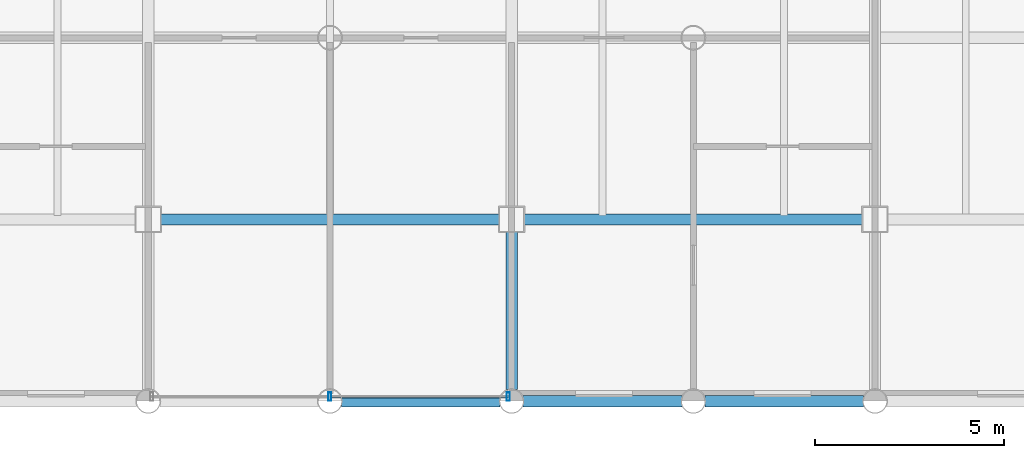
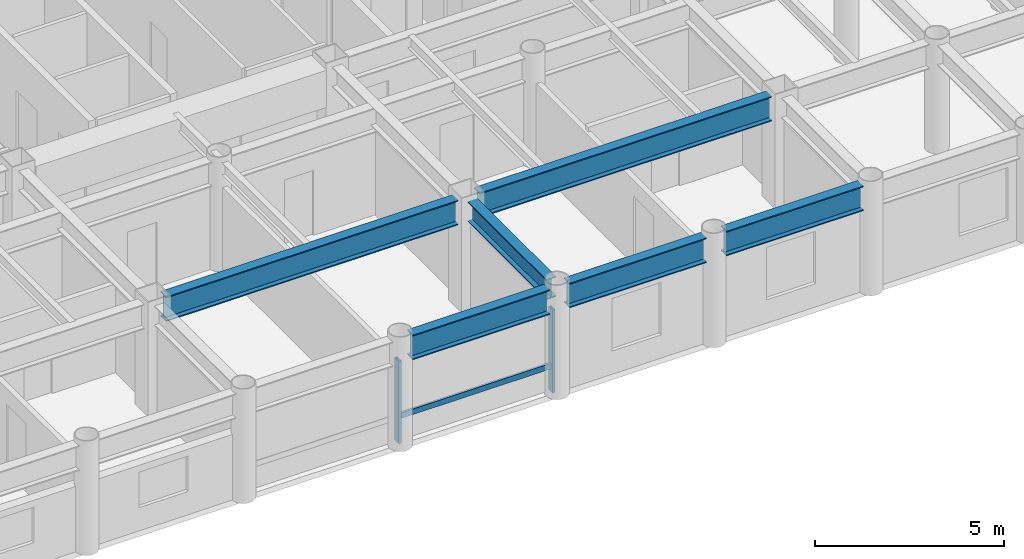
# One storey, part 6 of 20: 6 beams, 3 members, 1 element without a shape of its own.
"""IFC4 building model written with IfcOpenShell, lengths in metres."""

from ifc_helpers import new_model, si_unit, direction, frame, origin, origin_2d, place, context, subcontext, project, spatial, hollow_rectangle, i_section, extrude, material, layer, layer_set, material_profile, profile_set, type_object, element, aggregate, save


model = new_model("IFC4")

# Units and contexts
model_context = context("Model", 3, precision=1e-05, world=origin(), true_north=direction((0.0, 1.0)))
body_context = subcontext(model_context, "Body", "Model", "MODEL_VIEW")
ifc_project = project(units=[si_unit("LENGTHUNIT", "METRE"), si_unit("AREAUNIT", "SQUARE_METRE"), si_unit("VOLUMEUNIT", "CUBIC_METRE"), si_unit("PLANEANGLEUNIT", "RADIAN"), si_unit("MASSUNIT", "GRAM", prefix="KILO")], contexts=[model_context])

# Site, building, storey
site_placement = place(None, origin())
site = spatial("IfcSite", under=ifc_project, at=site_placement, CompositionType="ELEMENT")
building_placement = place(site_placement, origin())
building = spatial("IfcBuilding", under=site, at=building_placement, Name="Kallvorn Hotel Tower", CompositionType="ELEMENT")
storey_placement = place(building_placement, frame((0.0, 0.0, 143.300048828125)))
storey = spatial("IfcBuildingStorey", under=building, at=storey_placement, Name="L35", CompositionType="ELEMENT", Elevation=143.300048828125)

# Beams
ifc_material_1 = material(Name="Structural steel S355JR", Category="steel")
ifc_material_profile_1 = material_profile(ifc_material_1, i_section(OverallWidth=0.300048828125, OverallDepth=0.64990234375, WebThickness=0.01611328125, FlangeThickness=0.031005859375, at=origin_2d()), Name="HE 650 B")
ifc_profile_set_1 = profile_set([ifc_material_profile_1], Name="Structural steel S355JR")
beam_type_1 = type_object("IfcBeamType", Name="BM_HE650B", PredefinedType="BEAM", material=ifc_profile_set_1)
beam_1_placement = place(storey_placement, frame((4.800048828125, -18.89501953125, 3.195068359375), z_axis=(0.0, 1.0, 0.0), x_axis=(-1.0, 0.0, 0.0)))
element("IfcBeam", 1, at=beam_1_placement, inside=storey, type_object=beam_type_1, Name="L36 Primary Y-Girder 114", PredefinedType="BEAM", context=body_context, shape_type="SweptSolid", body=[
    extrude(i_section(OverallWidth=0.300048828125, OverallDepth=0.64990234375, WebThickness=0.01611328125, FlangeThickness=0.031005859375, at=origin_2d()), origin(), (0.0, 0.0, 1.0), 4.169921875),
])
ifc_material_2 = material(Name="Structural steel S355JR", Category="steel")
ifc_material_profile_2 = material_profile(ifc_material_2, i_section(OverallWidth=0.300048828125, OverallDepth=0.800048828125, WebThickness=0.017578125, FlangeThickness=0.032958984375, at=origin_2d()), Name="HE 800 B")
ifc_profile_set_2 = profile_set([ifc_material_profile_2], Name="Structural steel S355JR")
beam_type_2 = type_object("IfcBeamType", Name="BM_HE800B", PredefinedType="BEAM", material=ifc_profile_set_2)
beam_2_placement = place(storey_placement, frame((0.304931640625, -19.199951171875, 3.119873046875), z_axis=(1.0, 0.0, 0.0), x_axis=(0.0, 1.0, 0.0)))
element("IfcBeam", 2, at=beam_2_placement, inside=storey, type_object=beam_type_2, Name="L36 Primary X-Girder 07", PredefinedType="BEAM", context=body_context, shape_type="SweptSolid", body=[
    extrude(i_section(OverallWidth=0.300048828125, OverallDepth=0.800048828125, WebThickness=0.017578125, FlangeThickness=0.032958984375, at=origin_2d()), origin(), (0.0, 0.0, 1.0), 4.190185546875),
])
for number, where, z_axis, x_axis, name in (
    (3, (5.10498046875, -19.199951171875, 3.119873046875), (1.0, 0.0, 0.0), (0.0, 1.0, 0.0), "L36 Primary X-Girder 08"),
    (4, (9.905029296875, -19.199951171875, 3.119873046875), (1.0, 0.0, 0.0), (0.0, 1.0, 0.0), "L36 Primary X-Girder 09"),
):
    element("IfcBeam", number, at=place(storey_placement, frame(where, z_axis=z_axis, x_axis=x_axis)), inside=storey, type_object=beam_type_2, Name=name, PredefinedType="BEAM", context=body_context, shape_type="SweptSolid", body=[
        extrude(i_section(OverallWidth=0.300048828125, OverallDepth=0.800048828125, WebThickness=0.017578125, FlangeThickness=0.032958984375, at=origin_2d()), origin(), (0.0, 0.0, 1.0), 4.18994140625),
    ])
beam_3_placement = place(storey_placement, frame((-4.47509765625, -14.39990234375, 3.119873046875), z_axis=(1.0, 0.0, 0.0), x_axis=(0.0, 1.0, 0.0)))
element("IfcBeam", 5, at=beam_3_placement, inside=storey, type_object=beam_type_2, Name="L36 Primary X-Girder 18", PredefinedType="BEAM", context=body_context, shape_type="SweptSolid", body=[
    extrude(i_section(OverallWidth=0.300048828125, OverallDepth=0.800048828125, WebThickness=0.017578125, FlangeThickness=0.032958984375, at=origin_2d()), origin(), (0.0, 0.0, 1.0), 8.9501953125),
])
beam_4_placement = place(storey_placement, frame((5.125, -14.39990234375, 3.119873046875), z_axis=(1.0, 0.0, 0.0), x_axis=(0.0, 1.0, 0.0)))
element("IfcBeam", 6, at=beam_4_placement, inside=storey, type_object=beam_type_2, Name="L36 Primary X-Girder 19", PredefinedType="BEAM", context=body_context, shape_type="SweptSolid", body=[
    extrude(i_section(OverallWidth=0.300048828125, OverallDepth=0.800048828125, WebThickness=0.017578125, FlangeThickness=0.032958984375, at=origin_2d()), origin(), (0.0, 0.0, 1.0), 8.949951171875),
])

# Curtain wall, members
ifc_material_3 = material(Name="Thermally broken black-anodised aluminium AA 6063-T6", Category="aluminium")
ifc_layer = layer(ifc_material_3, 0.2099609375)
ifc_layer_set = layer_set([ifc_layer], Name="CW_SYS_4_HOTEL_MID")
curtain_wall_type = type_object("IfcCurtainWallType", Name="CW_SYS_4_HOTEL_MID", PredefinedType="USERDEFINED", material=ifc_layer_set)
curtain_wall_placement = place(storey_placement, origin())
curtain_wall = element("IfcCurtainWall", 7, at=curtain_wall_placement, inside=storey, type_object=curtain_wall_type, Name="L35 Dark-Glass Curtain Wall CW-L35-SC", ObjectType="UNITISED CURTAIN WALL", PredefinedType="USERDEFINED")
ifc_material_4 = material(Name="Thermally broken black-anodised aluminium AA 6063-T6", Category="aluminium")
ifc_material_profile_3 = material_profile(ifc_material_4, hollow_rectangle(XDim=0.080078125, YDim=0.219970703125, WallThickness=0.0048828125, at=origin_2d()), Name="MUL 220x80")
ifc_profile_set_3 = profile_set([ifc_material_profile_3], Name="Thermally broken black-anodised aluminium AA 6063-T6")
member_type_1 = type_object("IfcMemberType", Name="CW_MULLION_220x80", PredefinedType="MULLION", material=ifc_profile_set_3)
member_1_placement = place(storey_placement, frame((0.0, -19.080078125, 0.02001953125), z_axis=(0.0, 0.0, 1.0), x_axis=(1.0, 0.0, 0.0)))
member_1 = element("IfcMember", 8, at=member_1_placement, type_object=member_type_1, Name="CW-L35-SC Mullion 01", PredefinedType="MULLION", context=body_context, shape_type="SweptSolid", body=[
    extrude(hollow_rectangle(XDim=0.080078125, YDim=0.219970703125, WallThickness=0.0048828125, at=origin_2d()), origin(), (0.0, 0.0, 1.0), 2.679931640625),
])
member_2_placement = place(storey_placement, frame((4.7099609375, -19.080078125, 0.02001953125), z_axis=(0.0, 0.0, 1.0), x_axis=(1.0, 0.0, 0.0)))
member_2 = element("IfcMember", 9, at=member_2_placement, type_object=member_type_1, Name="CW-L35-SC Mullion 02", PredefinedType="MULLION", context=body_context, shape_type="SweptSolid", body=[
    extrude(hollow_rectangle(XDim=0.080078125, YDim=0.219970703125, WallThickness=0.0048828125, at=origin_2d()), origin(), (0.0, 0.0, 1.0), 2.679931640625),
])
ifc_material_5 = material(Name="Thermally broken black-anodised aluminium AA 6063-T6", Category="aluminium")
ifc_material_profile_4 = material_profile(ifc_material_5, hollow_rectangle(XDim=0.070068359375, YDim=0.179931640625, WallThickness=0.00390625, at=origin_2d()), Name="TRN 180x70")
ifc_profile_set_4 = profile_set([ifc_material_profile_4], Name="Thermally broken black-anodised aluminium AA 6063-T6")
member_type_2 = type_object("IfcMemberType", Name="CW_TRANSOM_180x70", PredefinedType="USERDEFINED", material=ifc_profile_set_4)
member_3_placement = place(storey_placement, frame((0.0400390625, -19.080078125, 0.849853515625), z_axis=(1.0, 0.0, 0.0), x_axis=(0.0, 1.0, 0.0)))
member_3 = element("IfcMember", 10, at=member_3_placement, type_object=member_type_2, Name="CW-L35-SC Transom 01M", ObjectType="TRANSOM", PredefinedType="USERDEFINED", context=body_context, shape_type="SweptSolid", body=[
    extrude(hollow_rectangle(XDim=0.070068359375, YDim=0.179931640625, WallThickness=0.00390625, at=origin_2d()), origin(), (0.0, 0.0, 1.0), 4.669921875),
])
aggregate(curtain_wall, [member_1, member_2, member_3])

save(model, "model.ifc")
